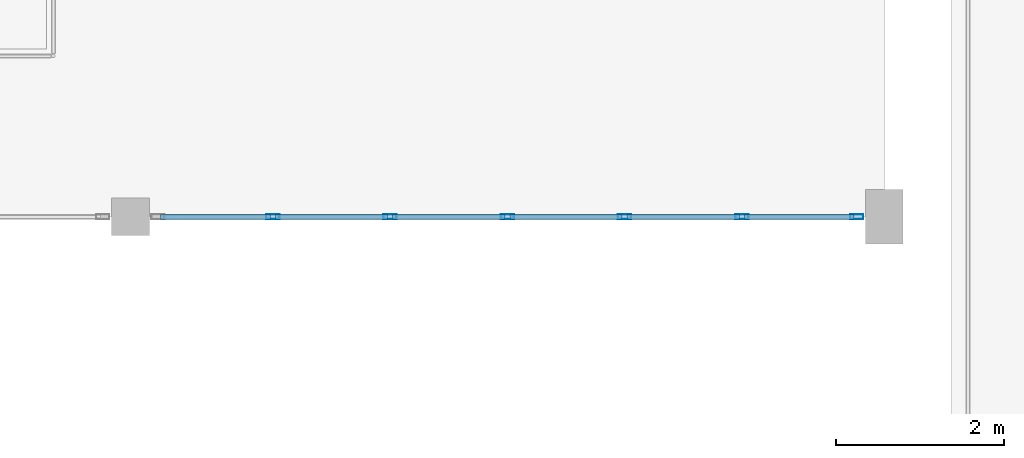
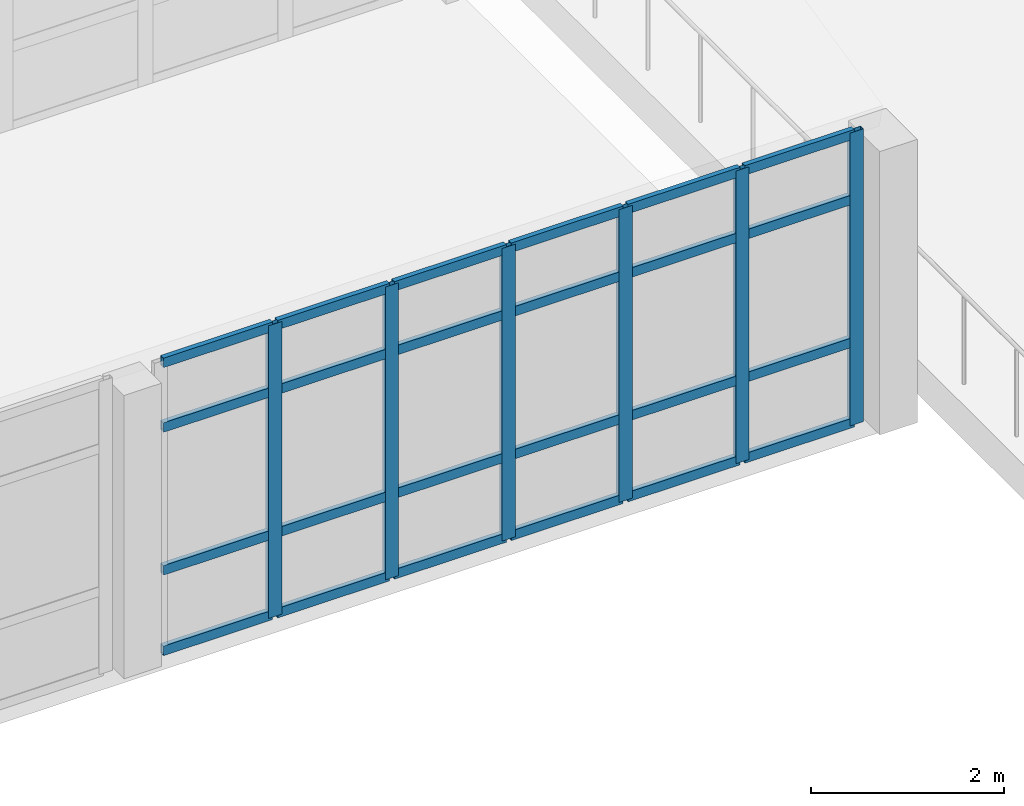
# One storey, part 11 of 156: 30 members, 1 element without a shape of its own.
"""IFC4 building model written with IfcOpenShell, lengths in metres."""

from ifc_helpers import new_model, si_unit, direction, frame, origin, origin_2d, place, context, subcontext, project, spatial, hollow_rectangle, extrude, material, layer, layer_set, material_profile, profile_set, type_object, element, aggregate, save


model = new_model("IFC4")

# Units and contexts
model_context = context("Model", 3, precision=1e-05, world=origin(), true_north=direction((0.0, 1.0)))
body_context = subcontext(model_context, "Body", "Model", "MODEL_VIEW")
ifc_project = project(units=[si_unit("LENGTHUNIT", "METRE"), si_unit("AREAUNIT", "SQUARE_METRE"), si_unit("VOLUMEUNIT", "CUBIC_METRE"), si_unit("PLANEANGLEUNIT", "RADIAN"), si_unit("MASSUNIT", "GRAM", prefix="KILO")], contexts=[model_context])

# Site, building, storey
site_placement = place(None, origin())
site = spatial("IfcSite", under=ifc_project, at=site_placement, CompositionType="ELEMENT")
building_placement = place(site_placement, origin())
building = spatial("IfcBuilding", under=site, at=building_placement, Name="Ornek Quay Market", CompositionType="ELEMENT")
storey_placement = place(building_placement, frame((0.0, 0.0, 4.5)))
storey = spatial("IfcBuildingStorey", under=building, at=storey_placement, Name="L01", CompositionType="ELEMENT", Elevation=4.5)

# Curtain wall, members
ifc_material_1 = material(Name="Anodised bronze aluminium and triple low-e glass", Category="aluminium")
ifc_layer = layer(ifc_material_1, 0.179931640625, Name="Anodised bronze aluminium and triple low-e glass", Category="aluminium")
ifc_layer_set = layer_set([ifc_layer], Name="Anodised bronze aluminium and triple low-e glass")
curtain_wall_type = type_object("IfcCurtainWallType", Name="CW-CONC-MOD1500", PredefinedType="USERDEFINED", material=ifc_layer_set)
curtain_wall_placement = place(storey_placement, origin())
curtain_wall = element("IfcCurtainWall", 1, at=curtain_wall_placement, inside=storey, type_object=curtain_wall_type, Name="Curtain wall CW-024", ObjectType="CURTAIN WALL", PredefinedType="USERDEFINED")
ifc_material_2 = material(Name="Anodised aluminium 6063-T6", Category="aluminium")
ifc_material_profile_1 = material_profile(ifc_material_2, hollow_rectangle(XDim=0.06005859375, YDim=0.159912109375, WallThickness=0.00390625, at=origin_2d()), Name="CW-MUL-60x160", Category="aluminium")
ifc_profile_set_1 = profile_set([ifc_material_profile_1], Name="Anodised aluminium 6063-T6")
member_type_1 = type_object("IfcMemberType", Name="CW-MUL-60x160", PredefinedType="MULLION", material=ifc_profile_set_1)
member_1_placement = place(storey_placement, frame((46.699951171875, 20.0, 0.0), z_axis=(0.0, 0.0, 1.0), x_axis=(0.0, 1.0, 0.0)))
member_1 = element("IfcMember", 2, at=member_1_placement, type_object=member_type_1, Name="CW-024 mullion 2", PredefinedType="MULLION", context=body_context, shape_type="SweptSolid", body=[
    extrude(hollow_rectangle(XDim=0.06005859375, YDim=0.159912109375, WallThickness=0.00390625, at=origin_2d()), origin(), (0.0, 0.0, 1.0), 3.7099609375),
])
member_2_placement = place(storey_placement, frame((48.10009765625, 20.0, 0.0), z_axis=(0.0, 0.0, 1.0), x_axis=(0.0, 1.0, 0.0)))
member_2 = element("IfcMember", 3, at=member_2_placement, type_object=member_type_1, Name="CW-024 mullion 3", PredefinedType="MULLION", context=body_context, shape_type="SweptSolid", body=[
    extrude(hollow_rectangle(XDim=0.06005859375, YDim=0.159912109375, WallThickness=0.00390625, at=origin_2d()), origin(), (0.0, 0.0, 1.0), 3.7099609375),
])
member_3_placement = place(storey_placement, frame((49.5, 20.0, 0.0), z_axis=(0.0, 0.0, 1.0), x_axis=(0.0, 1.0, 0.0)))
member_3 = element("IfcMember", 4, at=member_3_placement, type_object=member_type_1, Name="CW-024 mullion 4", PredefinedType="MULLION", context=body_context, shape_type="SweptSolid", body=[
    extrude(hollow_rectangle(XDim=0.06005859375, YDim=0.159912109375, WallThickness=0.00390625, at=origin_2d()), origin(), (0.0, 0.0, 1.0), 3.7099609375),
])
member_4_placement = place(storey_placement, frame((50.89990234375, 20.0, 0.0), z_axis=(0.0, 0.0, 1.0), x_axis=(0.0, 1.0, 0.0)))
member_4 = element("IfcMember", 5, at=member_4_placement, type_object=member_type_1, Name="CW-024 mullion 5", PredefinedType="MULLION", context=body_context, shape_type="SweptSolid", body=[
    extrude(hollow_rectangle(XDim=0.06005859375, YDim=0.159912109375, WallThickness=0.00390625, at=origin_2d()), origin(), (0.0, 0.0, 1.0), 3.7099609375),
])
member_5_placement = place(storey_placement, frame((52.300048828125, 20.0, 0.0), z_axis=(0.0, 0.0, 1.0), x_axis=(0.0, 1.0, 0.0)))
member_5 = element("IfcMember", 6, at=member_5_placement, type_object=member_type_1, Name="CW-024 mullion 6", PredefinedType="MULLION", context=body_context, shape_type="SweptSolid", body=[
    extrude(hollow_rectangle(XDim=0.06005859375, YDim=0.159912109375, WallThickness=0.00390625, at=origin_2d()), origin(), (0.0, 0.0, 1.0), 3.7099609375),
])
member_6_placement = place(storey_placement, frame((53.669921875, 20.0, 0.0), z_axis=(0.0, 0.0, 1.0), x_axis=(0.0, 1.0, 0.0)))
member_6 = element("IfcMember", 7, at=member_6_placement, type_object=member_type_1, Name="CW-024 mullion 7", PredefinedType="MULLION", context=body_context, shape_type="SweptSolid", body=[
    extrude(hollow_rectangle(XDim=0.06005859375, YDim=0.159912109375, WallThickness=0.00390625, at=origin_2d()), origin(), (0.0, 0.0, 1.0), 3.7099609375),
])
ifc_material_profile_2 = material_profile(ifc_material_2, hollow_rectangle(XDim=0.06005859375, YDim=0.1201171875, WallThickness=0.00390625, at=origin_2d()), Name="CW-TRN-60x120", Category="aluminium")
ifc_profile_set_2 = profile_set([ifc_material_profile_2], Name="Anodised aluminium 6063-T6")
member_type_2 = type_object("IfcMemberType", Name="CW-TRN-60x120", PredefinedType="USERDEFINED", material=ifc_profile_set_2)
member_7_placement = place(storey_placement, frame((45.360107421875, 20.0, 0.030029296875), z_axis=(1.0, 0.0, 0.0), x_axis=(0.0, 1.0, 0.0)))
member_7 = element("IfcMember", 8, at=member_7_placement, type_object=member_type_2, Name="CW-024 transom 1.1", ObjectType="TRANSOM", PredefinedType="USERDEFINED", context=body_context, shape_type="SweptSolid", body=[
    extrude(hollow_rectangle(XDim=0.06005859375, YDim=0.1201171875, WallThickness=0.00390625, at=origin_2d()), origin(), (0.0, 0.0, 1.0), 1.309814453125),
])
member_8_placement = place(storey_placement, frame((45.360107421875, 20.0, 1.050048828125), z_axis=(1.0, 0.0, 0.0), x_axis=(0.0, 1.0, 0.0)))
member_8 = element("IfcMember", 9, at=member_8_placement, type_object=member_type_2, Name="CW-024 transom 1.2", ObjectType="TRANSOM", PredefinedType="USERDEFINED", context=body_context, shape_type="SweptSolid", body=[
    extrude(hollow_rectangle(XDim=0.06005859375, YDim=0.1201171875, WallThickness=0.00390625, at=origin_2d()), origin(), (0.0, 0.0, 1.0), 1.309814453125),
])
member_9_placement = place(storey_placement, frame((45.360107421875, 20.0, 2.860107421875), z_axis=(1.0, 0.0, 0.0), x_axis=(0.0, 1.0, 0.0)))
member_9 = element("IfcMember", 10, at=member_9_placement, type_object=member_type_2, Name="CW-024 transom 1.3", ObjectType="TRANSOM", PredefinedType="USERDEFINED", context=body_context, shape_type="SweptSolid", body=[
    extrude(hollow_rectangle(XDim=0.06005859375, YDim=0.1201171875, WallThickness=0.00390625, at=origin_2d()), origin(), (0.0, 0.0, 1.0), 1.309814453125),
])
member_10_placement = place(storey_placement, frame((45.360107421875, 20.0, 3.679931640625), z_axis=(1.0, 0.0, 0.0), x_axis=(0.0, 1.0, 0.0)))
member_10 = element("IfcMember", 11, at=member_10_placement, type_object=member_type_2, Name="CW-024 transom 1.4", ObjectType="TRANSOM", PredefinedType="USERDEFINED", context=body_context, shape_type="SweptSolid", body=[
    extrude(hollow_rectangle(XDim=0.06005859375, YDim=0.1201171875, WallThickness=0.00390625, at=origin_2d()), origin(), (0.0, 0.0, 1.0), 1.309814453125),
])
member_11_placement = place(storey_placement, frame((46.72998046875, 20.0, 0.030029296875), z_axis=(1.0, 0.0, 0.0), x_axis=(0.0, 1.0, 0.0)))
member_11 = element("IfcMember", 12, at=member_11_placement, type_object=member_type_2, Name="CW-024 transom 2.1", ObjectType="TRANSOM", PredefinedType="USERDEFINED", context=body_context, shape_type="SweptSolid", body=[
    extrude(hollow_rectangle(XDim=0.06005859375, YDim=0.1201171875, WallThickness=0.00390625, at=origin_2d()), origin(), (0.0, 0.0, 1.0), 1.340087890625),
])
member_12_placement = place(storey_placement, frame((46.72998046875, 20.0, 1.050048828125), z_axis=(1.0, 0.0, 0.0), x_axis=(0.0, 1.0, 0.0)))
member_12 = element("IfcMember", 13, at=member_12_placement, type_object=member_type_2, Name="CW-024 transom 2.2", ObjectType="TRANSOM", PredefinedType="USERDEFINED", context=body_context, shape_type="SweptSolid", body=[
    extrude(hollow_rectangle(XDim=0.06005859375, YDim=0.1201171875, WallThickness=0.00390625, at=origin_2d()), origin(), (0.0, 0.0, 1.0), 1.340087890625),
])
member_13_placement = place(storey_placement, frame((46.72998046875, 20.0, 2.860107421875), z_axis=(1.0, 0.0, 0.0), x_axis=(0.0, 1.0, 0.0)))
member_13 = element("IfcMember", 14, at=member_13_placement, type_object=member_type_2, Name="CW-024 transom 2.3", ObjectType="TRANSOM", PredefinedType="USERDEFINED", context=body_context, shape_type="SweptSolid", body=[
    extrude(hollow_rectangle(XDim=0.06005859375, YDim=0.1201171875, WallThickness=0.00390625, at=origin_2d()), origin(), (0.0, 0.0, 1.0), 1.340087890625),
])
member_14_placement = place(storey_placement, frame((46.72998046875, 20.0, 3.679931640625), z_axis=(1.0, 0.0, 0.0), x_axis=(0.0, 1.0, 0.0)))
member_14 = element("IfcMember", 15, at=member_14_placement, type_object=member_type_2, Name="CW-024 transom 2.4", ObjectType="TRANSOM", PredefinedType="USERDEFINED", context=body_context, shape_type="SweptSolid", body=[
    extrude(hollow_rectangle(XDim=0.06005859375, YDim=0.1201171875, WallThickness=0.00390625, at=origin_2d()), origin(), (0.0, 0.0, 1.0), 1.340087890625),
])
member_15_placement = place(storey_placement, frame((48.1298828125, 20.0, 0.030029296875), z_axis=(1.0, 0.0, 0.0), x_axis=(0.0, 1.0, 0.0)))
member_15 = element("IfcMember", 16, at=member_15_placement, type_object=member_type_2, Name="CW-024 transom 3.1", ObjectType="TRANSOM", PredefinedType="USERDEFINED", context=body_context, shape_type="SweptSolid", body=[
    extrude(hollow_rectangle(XDim=0.06005859375, YDim=0.1201171875, WallThickness=0.00390625, at=origin_2d()), origin(), (0.0, 0.0, 1.0), 1.340087890625),
])
member_16_placement = place(storey_placement, frame((48.1298828125, 20.0, 1.050048828125), z_axis=(1.0, 0.0, 0.0), x_axis=(0.0, 1.0, 0.0)))
member_16 = element("IfcMember", 17, at=member_16_placement, type_object=member_type_2, Name="CW-024 transom 3.2", ObjectType="TRANSOM", PredefinedType="USERDEFINED", context=body_context, shape_type="SweptSolid", body=[
    extrude(hollow_rectangle(XDim=0.06005859375, YDim=0.1201171875, WallThickness=0.00390625, at=origin_2d()), origin(), (0.0, 0.0, 1.0), 1.340087890625),
])
member_17_placement = place(storey_placement, frame((48.1298828125, 20.0, 2.860107421875), z_axis=(1.0, 0.0, 0.0), x_axis=(0.0, 1.0, 0.0)))
member_17 = element("IfcMember", 18, at=member_17_placement, type_object=member_type_2, Name="CW-024 transom 3.3", ObjectType="TRANSOM", PredefinedType="USERDEFINED", context=body_context, shape_type="SweptSolid", body=[
    extrude(hollow_rectangle(XDim=0.06005859375, YDim=0.1201171875, WallThickness=0.00390625, at=origin_2d()), origin(), (0.0, 0.0, 1.0), 1.340087890625),
])
member_18_placement = place(storey_placement, frame((48.1298828125, 20.0, 3.679931640625), z_axis=(1.0, 0.0, 0.0), x_axis=(0.0, 1.0, 0.0)))
member_18 = element("IfcMember", 19, at=member_18_placement, type_object=member_type_2, Name="CW-024 transom 3.4", ObjectType="TRANSOM", PredefinedType="USERDEFINED", context=body_context, shape_type="SweptSolid", body=[
    extrude(hollow_rectangle(XDim=0.06005859375, YDim=0.1201171875, WallThickness=0.00390625, at=origin_2d()), origin(), (0.0, 0.0, 1.0), 1.340087890625),
])
member_19_placement = place(storey_placement, frame((49.530029296875, 20.0, 0.030029296875), z_axis=(1.0, 0.0, 0.0), x_axis=(0.0, 1.0, 0.0)))
member_19 = element("IfcMember", 20, at=member_19_placement, type_object=member_type_2, Name="CW-024 transom 4.1", ObjectType="TRANSOM", PredefinedType="USERDEFINED", context=body_context, shape_type="SweptSolid", body=[
    extrude(hollow_rectangle(XDim=0.06005859375, YDim=0.1201171875, WallThickness=0.00390625, at=origin_2d()), origin(), (0.0, 0.0, 1.0), 1.340087890625),
])
member_20_placement = place(storey_placement, frame((49.530029296875, 20.0, 1.050048828125), z_axis=(1.0, 0.0, 0.0), x_axis=(0.0, 1.0, 0.0)))
member_20 = element("IfcMember", 21, at=member_20_placement, type_object=member_type_2, Name="CW-024 transom 4.2", ObjectType="TRANSOM", PredefinedType="USERDEFINED", context=body_context, shape_type="SweptSolid", body=[
    extrude(hollow_rectangle(XDim=0.06005859375, YDim=0.1201171875, WallThickness=0.00390625, at=origin_2d()), origin(), (0.0, 0.0, 1.0), 1.340087890625),
])
member_21_placement = place(storey_placement, frame((49.530029296875, 20.0, 2.860107421875), z_axis=(1.0, 0.0, 0.0), x_axis=(0.0, 1.0, 0.0)))
member_21 = element("IfcMember", 22, at=member_21_placement, type_object=member_type_2, Name="CW-024 transom 4.3", ObjectType="TRANSOM", PredefinedType="USERDEFINED", context=body_context, shape_type="SweptSolid", body=[
    extrude(hollow_rectangle(XDim=0.06005859375, YDim=0.1201171875, WallThickness=0.00390625, at=origin_2d()), origin(), (0.0, 0.0, 1.0), 1.340087890625),
])
member_22_placement = place(storey_placement, frame((49.530029296875, 20.0, 3.679931640625), z_axis=(1.0, 0.0, 0.0), x_axis=(0.0, 1.0, 0.0)))
member_22 = element("IfcMember", 23, at=member_22_placement, type_object=member_type_2, Name="CW-024 transom 4.4", ObjectType="TRANSOM", PredefinedType="USERDEFINED", context=body_context, shape_type="SweptSolid", body=[
    extrude(hollow_rectangle(XDim=0.06005859375, YDim=0.1201171875, WallThickness=0.00390625, at=origin_2d()), origin(), (0.0, 0.0, 1.0), 1.340087890625),
])
member_23_placement = place(storey_placement, frame((50.929931640625, 20.0, 0.030029296875), z_axis=(1.0, 0.0, 0.0), x_axis=(0.0, 1.0, 0.0)))
member_23 = element("IfcMember", 24, at=member_23_placement, type_object=member_type_2, Name="CW-024 transom 5.1", ObjectType="TRANSOM", PredefinedType="USERDEFINED", context=body_context, shape_type="SweptSolid", body=[
    extrude(hollow_rectangle(XDim=0.06005859375, YDim=0.1201171875, WallThickness=0.00390625, at=origin_2d()), origin(), (0.0, 0.0, 1.0), 1.340087890625),
])
member_24_placement = place(storey_placement, frame((50.929931640625, 20.0, 1.050048828125), z_axis=(1.0, 0.0, 0.0), x_axis=(0.0, 1.0, 0.0)))
member_24 = element("IfcMember", 25, at=member_24_placement, type_object=member_type_2, Name="CW-024 transom 5.2", ObjectType="TRANSOM", PredefinedType="USERDEFINED", context=body_context, shape_type="SweptSolid", body=[
    extrude(hollow_rectangle(XDim=0.06005859375, YDim=0.1201171875, WallThickness=0.00390625, at=origin_2d()), origin(), (0.0, 0.0, 1.0), 1.340087890625),
])
member_25_placement = place(storey_placement, frame((50.929931640625, 20.0, 2.860107421875), z_axis=(1.0, 0.0, 0.0), x_axis=(0.0, 1.0, 0.0)))
member_25 = element("IfcMember", 26, at=member_25_placement, type_object=member_type_2, Name="CW-024 transom 5.3", ObjectType="TRANSOM", PredefinedType="USERDEFINED", context=body_context, shape_type="SweptSolid", body=[
    extrude(hollow_rectangle(XDim=0.06005859375, YDim=0.1201171875, WallThickness=0.00390625, at=origin_2d()), origin(), (0.0, 0.0, 1.0), 1.340087890625),
])
member_26_placement = place(storey_placement, frame((50.929931640625, 20.0, 3.679931640625), z_axis=(1.0, 0.0, 0.0), x_axis=(0.0, 1.0, 0.0)))
member_26 = element("IfcMember", 27, at=member_26_placement, type_object=member_type_2, Name="CW-024 transom 5.4", ObjectType="TRANSOM", PredefinedType="USERDEFINED", context=body_context, shape_type="SweptSolid", body=[
    extrude(hollow_rectangle(XDim=0.06005859375, YDim=0.1201171875, WallThickness=0.00390625, at=origin_2d()), origin(), (0.0, 0.0, 1.0), 1.340087890625),
])
member_27_placement = place(storey_placement, frame((52.330078125, 20.0, 0.030029296875), z_axis=(1.0, 0.0, 0.0), x_axis=(0.0, 1.0, 0.0)))
member_27 = element("IfcMember", 28, at=member_27_placement, type_object=member_type_2, Name="CW-024 transom 6.1", ObjectType="TRANSOM", PredefinedType="USERDEFINED", context=body_context, shape_type="SweptSolid", body=[
    extrude(hollow_rectangle(XDim=0.06005859375, YDim=0.1201171875, WallThickness=0.00390625, at=origin_2d()), origin(), (0.0, 0.0, 1.0), 1.309814453125),
])
member_28_placement = place(storey_placement, frame((52.330078125, 20.0, 1.050048828125), z_axis=(1.0, 0.0, 0.0), x_axis=(0.0, 1.0, 0.0)))
member_28 = element("IfcMember", 29, at=member_28_placement, type_object=member_type_2, Name="CW-024 transom 6.2", ObjectType="TRANSOM", PredefinedType="USERDEFINED", context=body_context, shape_type="SweptSolid", body=[
    extrude(hollow_rectangle(XDim=0.06005859375, YDim=0.1201171875, WallThickness=0.00390625, at=origin_2d()), origin(), (0.0, 0.0, 1.0), 1.309814453125),
])
member_29_placement = place(storey_placement, frame((52.330078125, 20.0, 2.860107421875), z_axis=(1.0, 0.0, 0.0), x_axis=(0.0, 1.0, 0.0)))
member_29 = element("IfcMember", 30, at=member_29_placement, type_object=member_type_2, Name="CW-024 transom 6.3", ObjectType="TRANSOM", PredefinedType="USERDEFINED", context=body_context, shape_type="SweptSolid", body=[
    extrude(hollow_rectangle(XDim=0.06005859375, YDim=0.1201171875, WallThickness=0.00390625, at=origin_2d()), origin(), (0.0, 0.0, 1.0), 1.309814453125),
])
member_30_placement = place(storey_placement, frame((52.330078125, 20.0, 3.679931640625), z_axis=(1.0, 0.0, 0.0), x_axis=(0.0, 1.0, 0.0)))
member_30 = element("IfcMember", 31, at=member_30_placement, type_object=member_type_2, Name="CW-024 transom 6.4", ObjectType="TRANSOM", PredefinedType="USERDEFINED", context=body_context, shape_type="SweptSolid", body=[
    extrude(hollow_rectangle(XDim=0.06005859375, YDim=0.1201171875, WallThickness=0.00390625, at=origin_2d()), origin(), (0.0, 0.0, 1.0), 1.309814453125),
])
aggregate(curtain_wall, [member_1, member_2, member_3, member_4, member_5, member_6, member_7, member_8, member_9, member_10, member_11, member_12, member_13, member_14, member_15, member_16, member_17, member_18, member_19, member_20, member_21, member_22, member_23, member_24, member_25, member_26, member_27, member_28, member_29, member_30])

save(model, "model.ifc")
